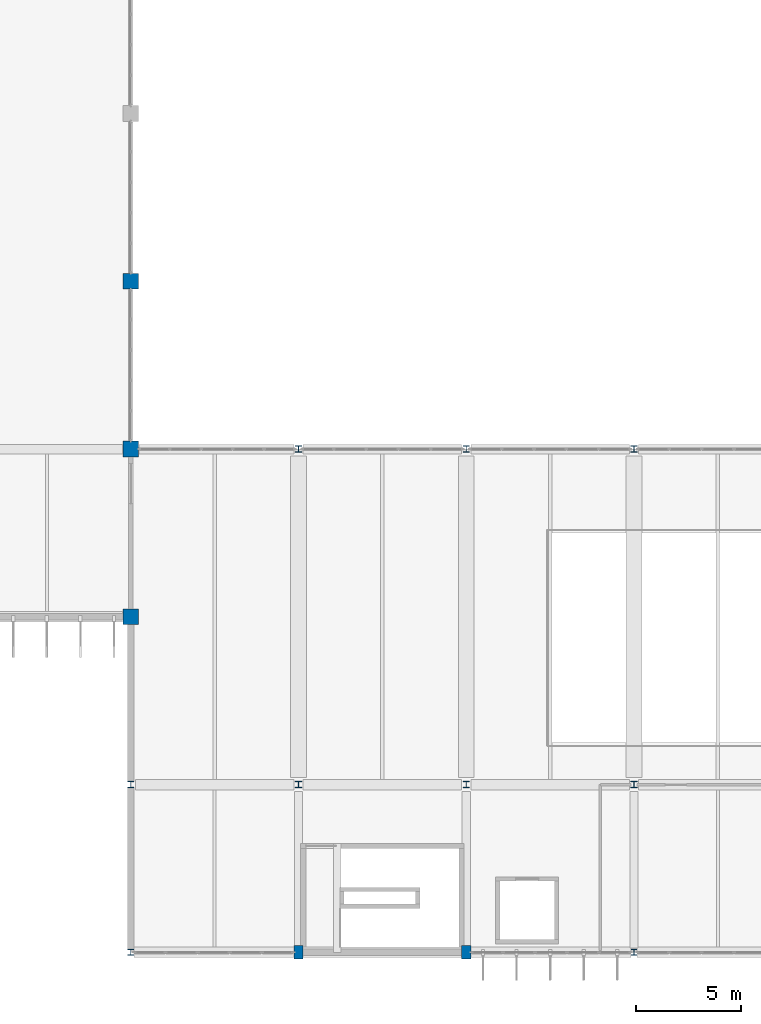
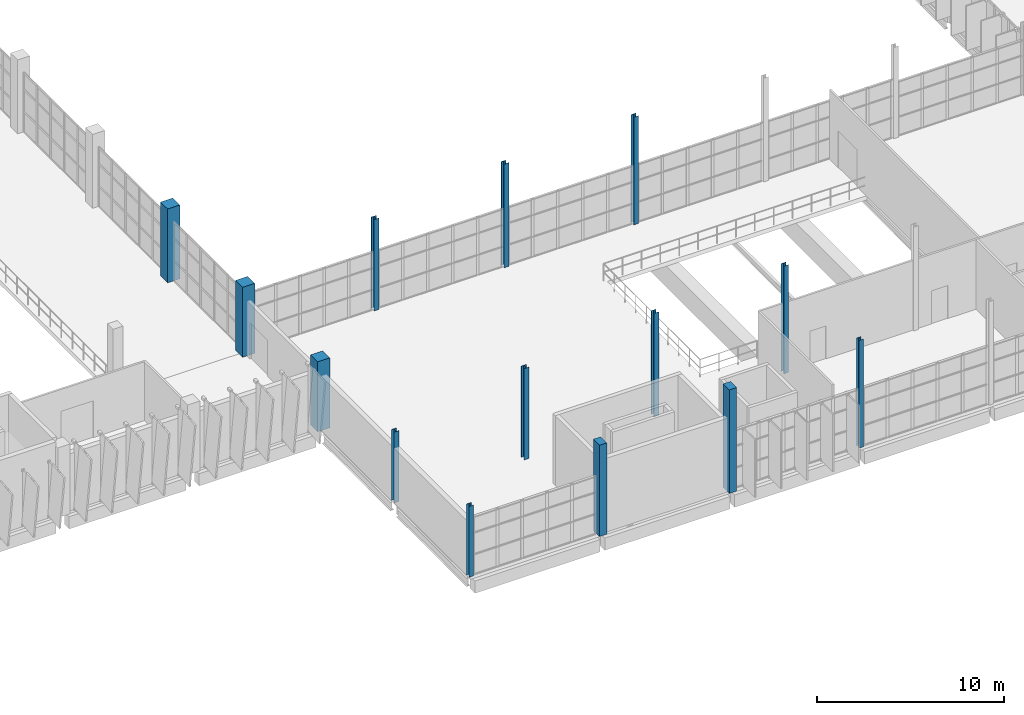
# One storey, part 5 of 93: 14 columns.
"""IFC4 building model written with IfcOpenShell, lengths in metres."""

from ifc_helpers import new_model, si_unit, direction, frame, origin, origin_2d, place, context, subcontext, project, spatial, rectangle, i_section, extrude, material, material_profile, profile_set, type_object, element, save


model = new_model("IFC4")

# Units and contexts
model_context = context("Model", 3, precision=1e-05, world=origin(), true_north=direction((0.0, 1.0)))
body_context = subcontext(model_context, "Body", "Model", "MODEL_VIEW")
ifc_project = project(units=[si_unit("LENGTHUNIT", "METRE"), si_unit("AREAUNIT", "SQUARE_METRE"), si_unit("VOLUMEUNIT", "CUBIC_METRE"), si_unit("PLANEANGLEUNIT", "RADIAN"), si_unit("MASSUNIT", "GRAM", prefix="KILO")], contexts=[model_context])

# Site, building, storey
site_placement = place(None, origin())
site = spatial("IfcSite", under=ifc_project, at=site_placement, CompositionType="ELEMENT")
building_placement = place(site_placement, origin())
building = spatial("IfcBuilding", under=site, at=building_placement, Name="Drelvana Railside Aquatics Centre", CompositionType="ELEMENT")
storey_placement = place(building_placement, frame((0.0, 0.0, 5.39990234375)))
storey = spatial("IfcBuildingStorey", under=building, at=storey_placement, Name="L01", CompositionType="ELEMENT", Elevation=5.39990234375)

# Columns
ifc_material_1 = material(Name="Concrete C40/50", Category="concrete")
ifc_material_profile_1 = material_profile(ifc_material_1, rectangle(XDim=0.449951171875, YDim=0.64990234375, at=origin_2d()), Name="RC 450x650")
ifc_profile_set_1 = profile_set([ifc_material_profile_1], Name="Concrete C40/50")
column_type_1 = type_object("IfcColumnType", Name="STR-COL-RC-450x650", PredefinedType="COLUMN", material=ifc_profile_set_1)
column_1_placement = place(storey_placement, frame((104.0, 0.0, 0.0), z_axis=(0.0, 0.0, 1.0), x_axis=(1.0, 0.0, 0.0)))
element("IfcColumn", 1, at=column_1_placement, inside=storey, type_object=column_type_1, Name="Column C-11 (L01)", PredefinedType="COLUMN", context=body_context, shape_type="SweptSolid", body=[
    extrude(rectangle(XDim=0.449951171875, YDim=0.64990234375, at=origin_2d()), origin(), (0.0, 0.0, 1.0), 5.943359375),
])
column_2_placement = place(storey_placement, frame((112.0, 0.0, 0.0), z_axis=(0.0, 0.0, 1.0), x_axis=(1.0, 0.0, 0.0)))
element("IfcColumn", 2, at=column_2_placement, inside=storey, type_object=column_type_1, Name="Column C-11 (L01)", PredefinedType="COLUMN", context=body_context, shape_type="SweptSolid", body=[
    extrude(rectangle(XDim=0.449951171875, YDim=0.64990234375, at=origin_2d()), origin(), (0.0, 0.0, 1.0), 6.743408203125),
])
ifc_material_profile_2 = material_profile(ifc_material_1, rectangle(XDim=0.75, YDim=0.75, at=origin_2d()), Name="RC 750x750")
ifc_profile_set_2 = profile_set([ifc_material_profile_2], Name="Concrete C40/50")
column_type_2 = type_object("IfcColumnType", Name="STR-COL-RC-750x750", PredefinedType="COLUMN", material=ifc_profile_set_2)
for number, where, z_axis, x_axis, name in (
    (3, (96.0, 16.0, 0.0), (0.0, 0.0, 1.0), (1.0, 0.0, 0.0), "Column C-07 (L01)"),
    (4, (96.0, 24.0, 0.0), (0.0, 0.0, 1.0), (1.0, 0.0, 0.0), "Column C-07 (L01)"),
):
    element("IfcColumn", number, at=place(storey_placement, frame(where, z_axis=z_axis, x_axis=x_axis)), inside=storey, type_object=column_type_2, Name=name, PredefinedType="COLUMN", context=body_context, shape_type="SweptSolid", body=[
        extrude(rectangle(XDim=0.75, YDim=0.75, at=origin_2d()), origin(), (0.0, 0.0, 1.0), 4.550048828125),
    ])
column_3_placement = place(storey_placement, frame((96.0, 32.0, 0.0), z_axis=(0.0, 0.0, 1.0), x_axis=(1.0, 0.0, 0.0)))
element("IfcColumn", 5, at=column_3_placement, inside=storey, type_object=column_type_2, Name="Column C-07 (L01)", PredefinedType="COLUMN", context=body_context, shape_type="SweptSolid", body=[
    extrude(rectangle(XDim=0.75, YDim=0.75, at=origin_2d()), origin(), (0.0, 0.0, 1.0), 4.800048828125),
])
ifc_material_2 = material(Name="Structural steel S355", Category="steel")
ifc_material_profile_3 = material_profile(ifc_material_2, i_section(OverallWidth=0.280029296875, OverallDepth=0.280029296875, WebThickness=0.010498046875, FlangeThickness=0.01806640625, at=origin_2d()), Name="HEB 280")
ifc_profile_set_3 = profile_set([ifc_material_profile_3], Name="Structural steel S355")
column_type_3 = type_object("IfcColumnType", Name="STR-SCOL-HEB-280", PredefinedType="COLUMN", material=ifc_profile_set_3)
column_4_placement = place(storey_placement, frame((96.0, 0.0, 0.0), z_axis=(0.0, 0.0, 1.0), x_axis=(1.0, 0.0, 0.0)))
element("IfcColumn", 6, at=column_4_placement, inside=storey, type_object=column_type_3, Name="Column SC-01 (L01)", PredefinedType="COLUMN", context=body_context, shape_type="SweptSolid", body=[
    extrude(i_section(OverallWidth=0.280029296875, OverallDepth=0.280029296875, WebThickness=0.010498046875, FlangeThickness=0.01806640625, at=origin_2d()), origin(), (0.0, 0.0, 1.0), 4.610107421875),
])
column_5_placement = place(storey_placement, frame((120.0, 0.0, 0.0), z_axis=(0.0, 0.0, 1.0), x_axis=(1.0, 0.0, 0.0)))
element("IfcColumn", 7, at=column_5_placement, inside=storey, type_object=column_type_3, Name="Column SC-01 (L01)", PredefinedType="COLUMN", context=body_context, shape_type="SweptSolid", body=[
    extrude(i_section(OverallWidth=0.280029296875, OverallDepth=0.280029296875, WebThickness=0.010498046875, FlangeThickness=0.01806640625, at=origin_2d()), origin(), (0.0, 0.0, 1.0), 7.010009765625),
])
ifc_material_profile_4 = material_profile(ifc_material_2, i_section(OverallWidth=0.300048828125, OverallDepth=0.300048828125, WebThickness=0.010986328125, FlangeThickness=0.01904296875, at=origin_2d()), Name="HEB 300")
ifc_profile_set_4 = profile_set([ifc_material_profile_4], Name="Structural steel S355")
column_type_4 = type_object("IfcColumnType", Name="STR-SCOL-HEB-300", PredefinedType="COLUMN", material=ifc_profile_set_4)
column_6_placement = place(storey_placement, frame((96.0, 8.0, 0.0), z_axis=(0.0, 0.0, 1.0), x_axis=(1.0, 0.0, 0.0)))
element("IfcColumn", 8, at=column_6_placement, inside=storey, type_object=column_type_4, Name="Column SC-02 (L01)", PredefinedType="COLUMN", context=body_context, shape_type="SweptSolid", body=[
    extrude(i_section(OverallWidth=0.300048828125, OverallDepth=0.300048828125, WebThickness=0.010986328125, FlangeThickness=0.01904296875, at=origin_2d()), origin(), (0.0, 0.0, 1.0), 4.610107421875),
])
for number, where, z_axis, x_axis, name in (
    (9, (104.0, 8.0, 0.0), (0.0, 0.0, 1.0), (1.0, 0.0, 0.0), "Column SC-02 (L01)"),
    (10, (104.0, 24.0, 0.0), (0.0, 0.0, 1.0), (1.0, 0.0, 0.0), "Column SC-02 (L01)"),
):
    element("IfcColumn", number, at=place(storey_placement, frame(where, z_axis=z_axis, x_axis=x_axis)), inside=storey, type_object=column_type_4, Name=name, PredefinedType="COLUMN", context=body_context, shape_type="SweptSolid", body=[
        extrude(i_section(OverallWidth=0.300048828125, OverallDepth=0.300048828125, WebThickness=0.010986328125, FlangeThickness=0.01904296875, at=origin_2d()), origin(), (0.0, 0.0, 1.0), 5.943359375),
    ])
for number, where, z_axis, x_axis, name in (
    (11, (112.0, 8.0, 0.0), (0.0, 0.0, 1.0), (1.0, 0.0, 0.0), "Column SC-02 (L01)"),
    (12, (112.0, 24.0, 0.0), (0.0, 0.0, 1.0), (1.0, 0.0, 0.0), "Column SC-02 (L01)"),
):
    element("IfcColumn", number, at=place(storey_placement, frame(where, z_axis=z_axis, x_axis=x_axis)), inside=storey, type_object=column_type_4, Name=name, PredefinedType="COLUMN", context=body_context, shape_type="SweptSolid", body=[
        extrude(i_section(OverallWidth=0.300048828125, OverallDepth=0.300048828125, WebThickness=0.010986328125, FlangeThickness=0.01904296875, at=origin_2d()), origin(), (0.0, 0.0, 1.0), 6.743408203125),
    ])
for number, where, z_axis, x_axis, name in (
    (13, (120.0, 8.0, 0.0), (0.0, 0.0, 1.0), (1.0, 0.0, 0.0), "Column SC-02 (L01)"),
    (14, (120.0, 24.0, 0.0), (0.0, 0.0, 1.0), (1.0, 0.0, 0.0), "Column SC-02 (L01)"),
):
    element("IfcColumn", number, at=place(storey_placement, frame(where, z_axis=z_axis, x_axis=x_axis)), inside=storey, type_object=column_type_4, Name=name, PredefinedType="COLUMN", context=body_context, shape_type="SweptSolid", body=[
        extrude(i_section(OverallWidth=0.300048828125, OverallDepth=0.300048828125, WebThickness=0.010986328125, FlangeThickness=0.01904296875, at=origin_2d()), origin(), (0.0, 0.0, 1.0), 7.010009765625),
    ])

save(model, "model.ifc")
